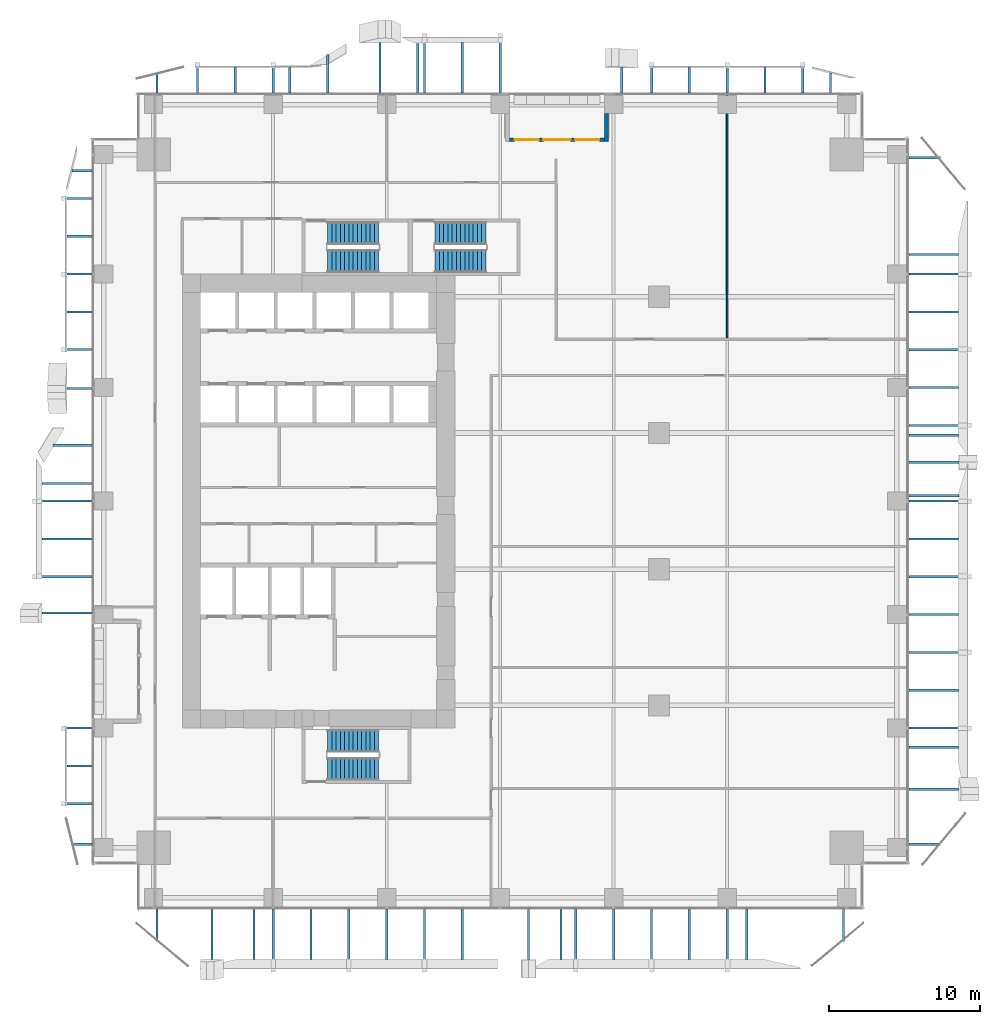
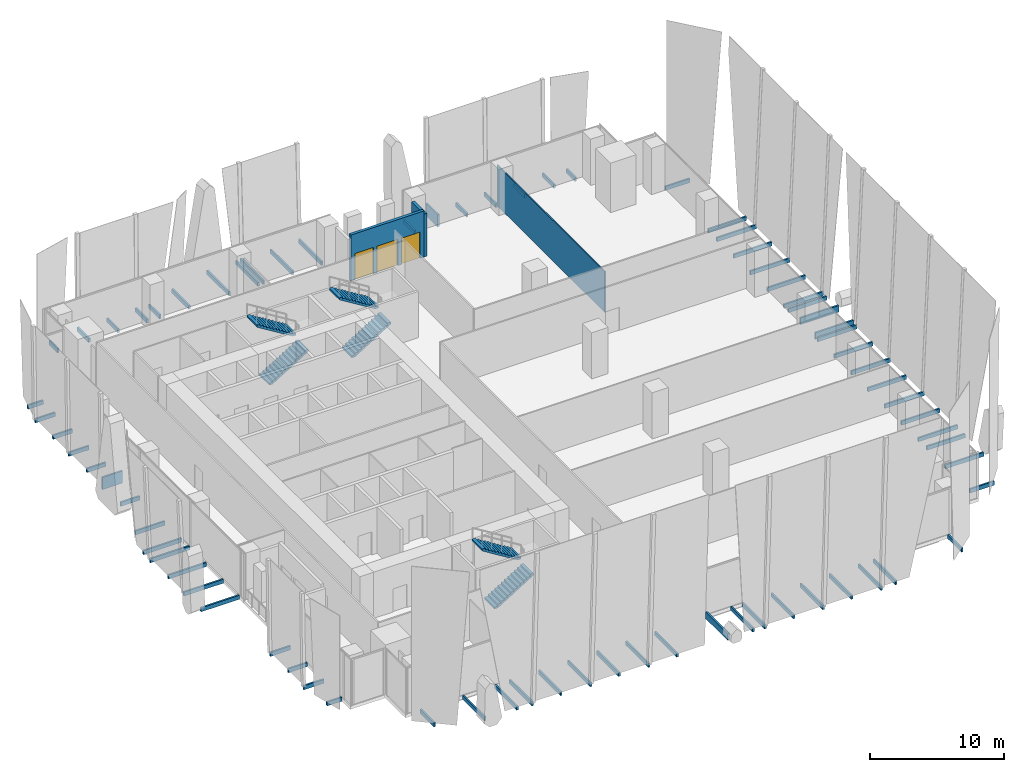
# One storey, part 30 of 35: 73 discrete accessories, 6 stair flights, 3 walls, 2 windows, 1 door, 3 openings, 3 elements without a shape of their own.
"""IFC4 building model written with IfcOpenShell, lengths in metres."""

from ifc_helpers import new_model, si_unit, direction, frame, frame_2d, origin, origin_2d, place, context, subcontext, project, spatial, polyline, rectangle, outline, extrude, source, transform, mapped, material, layer, layer_set, type_object, element, fill, aggregate, save


model = new_model("IFC4")

# Units and contexts
model_context = context("Model", 3, precision=1e-05, world=origin(), true_north=direction((0.0, 1.0)))
body_context = subcontext(model_context, "Body", "Model", "MODEL_VIEW")
ifc_project = project(units=[si_unit("LENGTHUNIT", "METRE"), si_unit("AREAUNIT", "SQUARE_METRE"), si_unit("VOLUMEUNIT", "CUBIC_METRE"), si_unit("PLANEANGLEUNIT", "RADIAN"), si_unit("MASSUNIT", "GRAM", prefix="KILO")], contexts=[model_context])

# Site, building, storey
site_placement = place(None, origin())
site = spatial("IfcSite", under=ifc_project, at=site_placement, CompositionType="ELEMENT")
building_placement = place(site_placement, origin())
building = spatial("IfcBuilding", under=site, at=building_placement, Name="Khomas Fold Tower", CompositionType="ELEMENT")
storey_placement = place(building_placement, frame((0.0, 0.0, 87.0)))
storey = spatial("IfcBuildingStorey", under=building, at=storey_placement, Name="L18", CompositionType="ELEMENT", Elevation=87.0)

# Wall
ifc_material_1 = material(Name="Natural stone", Category="masonry")
ifc_layer_1 = layer(ifc_material_1, 0.0400390625)
ifc_material_2 = material(Name="Mineral wool insulation", Category="insulation")
ifc_layer_2 = layer(ifc_material_2, 0.10009765625)
ifc_material_3 = material(Name="Masonry", Category="masonry")
ifc_layer_3 = layer(ifc_material_3, 0.110107421875)
ifc_layer_set_1 = layer_set([ifc_layer_1, ifc_layer_2, ifc_layer_3], Name="Stone-faced insulated masonry")
wall_type_1 = type_object("IfcWallType", Name="BL-Balcony wall", PredefinedType="SOLIDWALL", material=ifc_layer_set_1)
shared_shape_1 = source(origin(), body_context, "Body", "SweptSolid", [
    extrude(rectangle(XDim=1.85009765625, YDim=0.25, at=frame_2d((0.925048828125, 0.0))), origin(), (0.0, 0.0, 1.0), 3.89990234375),
])
wall_1_placement = place(storey_placement, frame((34.02490234375, 52.60009765625, 0.0), z_axis=(0.0, 0.0, 1.0), x_axis=(0.0, -1.0, 0.0)))
element("IfcWall", 1, at=wall_1_placement, inside=storey, type_object=wall_type_1, Name="Balcony return wall BAL-L18-N3-hi", PredefinedType="SOLIDWALL", context=body_context, shape_type="MappedRepresentation", body=[
    mapped(shared_shape_1, transform((0.0, 0.0, 0.0))),
])

# Wall, openings, windows, door
shared_shape_2 = source(origin(), body_context, "Body", "SweptSolid", [
    extrude(rectangle(XDim=6.2998046875, YDim=0.25, at=frame_2d((3.14990234375, 0.0))), origin(), (0.0, 0.0, 1.0), 4.199951171875),
])
wall_2_placement = place(storey_placement, frame((27.60009765625, 50.875, 0.0), z_axis=(0.0, 0.0, 1.0), x_axis=(1.0, 0.0, 0.0)))
wall_2 = element("IfcWall", 2, at=wall_2_placement, inside=storey, type_object=wall_type_1, Name="Balcony wall BAL-L18-N3", PredefinedType="SOLIDWALL", context=body_context, shape_type="MappedRepresentation", body=[
    mapped(shared_shape_2, transform((0.0, 0.0, 0.0))),
])
shared_shape_3 = source(origin(), body_context, "Body", "SweptSolid", [
    extrude(rectangle(XDim=1.60009765625, YDim=2.39990234375, at=frame_2d((0.800048828125, 1.199951171875))), frame((0.0, 0.135009765625, 0.0), z_axis=(0.0, -1.0, 0.0), x_axis=(1.0, 0.0, 0.0)), (0.0, 0.0, 1.0), 0.27001953125),
])
opening_1_placement = place(wall_2_placement, frame((0.35009765625, 0.0, 0.0)))
opening_1 = element("IfcOpeningElement", 3, at=opening_1_placement, cuts=wall_2, Name="Opening BL-W1", PredefinedType="OPENING", context=body_context, shape_type="MappedRepresentation", body=[
    mapped(shared_shape_3, transform((0.0, 0.0, 0.0))),
])
opening_2_placement = place(wall_2_placement, frame((4.35009765625, 0.0, 0.0)))
opening_2 = element("IfcOpeningElement", 4, at=opening_2_placement, cuts=wall_2, Name="Opening BL-W1", PredefinedType="OPENING", context=body_context, shape_type="MappedRepresentation", body=[
    mapped(shared_shape_3, transform((0.0, 0.0, 0.0))),
])
shared_shape_4 = source(origin(), body_context, "Body", "SweptSolid", [
    extrude(rectangle(XDim=1.800048828125, YDim=2.39990234375, at=frame_2d((0.89990234375, 1.199951171875))), frame((0.0, 0.135009765625, 0.0), z_axis=(0.0, -1.0, 0.0), x_axis=(1.0, 0.0, 0.0)), (0.0, 0.0, 1.0), 0.27001953125),
])
opening_3_placement = place(wall_2_placement, frame((2.25, 0.0, 0.0)))
opening_3 = element("IfcOpeningElement", 5, at=opening_3_placement, cuts=wall_2, Name="Opening BD182", PredefinedType="OPENING", context=body_context, shape_type="MappedRepresentation", body=[
    mapped(shared_shape_4, transform((0.0, 0.0, 0.0))),
])
ifc_material_4 = material(Name="Aluminium framed double glazing", Category="aluminium")
window_type = type_object("IfcWindowType", Name="BL-Fixed glazing 1600 x 2400", PartitioningType="SINGLE_PANEL", PredefinedType="WINDOW", material=ifc_material_4)
shared_shape_5 = source(origin(), body_context, "Body", "SweptSolid", [
    extrude(rectangle(XDim=1.60009765625, YDim=2.39990234375, at=frame_2d((0.800048828125, 1.199951171875))), frame((0.0, 0.030029296875, 0.0), z_axis=(0.0, -1.0, 0.0), x_axis=(1.0, 0.0, 0.0)), (0.0, 0.0, 1.0), 0.06005859375),
])
window_1_placement = place(opening_1_placement, origin())
window_1 = element("IfcWindow", 6, at=window_1_placement, inside=storey, type_object=window_type, Name="Balcony glazing BAL-L18-N3-1", OverallHeight=2.39990234375, OverallWidth=1.60009765625, PartitioningType="SINGLE_PANEL", PredefinedType="WINDOW", context=body_context, shape_type="MappedRepresentation", body=[
    mapped(shared_shape_5, transform((0.0, 0.0, 0.0))),
])
fill(opening_1, window_1)
window_2_placement = place(opening_2_placement, origin())
window_2 = element("IfcWindow", 7, at=window_2_placement, inside=storey, type_object=window_type, Name="Balcony glazing BAL-L18-N3-2", OverallHeight=2.39990234375, OverallWidth=1.60009765625, PartitioningType="SINGLE_PANEL", PredefinedType="WINDOW", context=body_context, shape_type="MappedRepresentation", body=[
    mapped(shared_shape_5, transform((0.0, 0.0, 0.0))),
])
fill(opening_2, window_2)
ifc_material_5 = material(Name="Aluminium framed double glazing", Category="aluminium")
door_type = type_object("IfcDoorType", Name="BL-Glazed balcony door 1800 x 2400", OperationType="DOUBLE_DOOR_DOUBLE_SWING", PredefinedType="DOOR", material=ifc_material_5)
shared_shape_6 = source(origin(), body_context, "Body", "SweptSolid", [
    extrude(rectangle(XDim=1.800048828125, YDim=2.39990234375, at=frame_2d((0.89990234375, 1.199951171875))), frame((0.0, 0.02490234375, 0.0), z_axis=(0.0, -1.0, 0.0), x_axis=(1.0, 0.0, 0.0)), (0.0, 0.0, 1.0), 0.050048828125),
])
door_placement = place(opening_3_placement, origin())
door = element("IfcDoor", 8, at=door_placement, inside=storey, type_object=door_type, Name="Balcony door BD182", OperationType="DOUBLE_DOOR_DOUBLE_SWING", OverallHeight=2.39990234375, OverallWidth=1.800048828125, PredefinedType="DOOR", context=body_context, shape_type="MappedRepresentation", body=[
    mapped(shared_shape_6, transform((0.0, 0.0, 0.0))),
])
fill(opening_3, door)

# Wall
ifc_material_6 = material(Name="Plasterboard partition")
ifc_layer_4 = layer(ifc_material_6, 0.10009765625)
ifc_layer_set_2 = layer_set([ifc_layer_4], Name="Plasterboard partition")
wall_type_2 = type_object("IfcWallType", Name="Partition PW1 100", PredefinedType="PARTITIONING", material=ifc_layer_set_2)
shared_shape_7 = source(origin(), body_context, "Body", "SweptSolid", [
    extrude(rectangle(XDim=16.050048828125, YDim=0.10009765625, at=frame_2d((8.02490234375, 0.0))), origin(), (0.0, 0.0, 1.0), 3.699951171875),
])
wall_3_placement = place(storey_placement, frame((42.0, 37.800048828125, 0.0), z_axis=(0.0, 0.0, 1.0), x_axis=(0.0, 1.0, 0.0)))
element("IfcWall", 9, at=wall_3_placement, inside=storey, type_object=wall_type_2, Name="Partition", PredefinedType="PARTITIONING", context=body_context, shape_type="MappedRepresentation", body=[
    mapped(shared_shape_7, transform((0.0, 0.0, 0.0))),
])

# Stair, stair flights
ifc_material_7 = material(Name="Concrete C40/50", Category="concrete")
stair_type_1 = type_object("IfcStairType", Name="Stair ST1", PredefinedType="HALF_TURN_STAIR", material=ifc_material_7)
stair_1_placement = place(storey_placement, origin())
stair_1 = element("IfcStair", 10, at=stair_1_placement, inside=storey, type_object=stair_type_1, Name="L18 ST1", PredefinedType="HALF_TURN_STAIR")
ifc_material_8 = material(Name="Concrete C40/50", Category="concrete")
stair_flight_type_1 = type_object("IfcStairFlightType", Name="Stair flight 1500 ST1", PredefinedType="STRAIGHT", material=ifc_material_8)
shared_shape_8 = source(origin(), body_context, "Body", "SweptSolid", [
    extrude(outline(polyline([(0.0, 0.0), (0.0, 0.013427734375), (0.0, 0.026611328125), (0.0, 0.0400390625), (0.0, 0.05322265625), (0.0, 0.066650390625), (0.0, 0.079833984375), (0.0, 0.09326171875), (0.0, 0.1064453125), (0.0, 0.119873046875), (0.0, 0.133056640625), (0.0, 0.146484375), (0.0, 0.15966796875), (0.0, 0.173095703125), (0.280029296875, 0.173095703125), (0.280029296875, 0.34619140625), (0.56005859375, 0.34619140625), (0.56005859375, 0.519287109375), (0.840087890625, 0.519287109375), (0.840087890625, 0.6923828125), (1.1201171875, 0.6923828125), (1.1201171875, 0.865478515625), (1.39990234375, 0.865478515625), (1.39990234375, 1.03857421875), (1.679931640625, 1.03857421875), (1.679931640625, 1.21142578125), (1.9599609375, 1.21142578125), (1.9599609375, 1.384521484375), (2.239990234375, 1.384521484375), (2.239990234375, 1.5576171875), (2.52001953125, 1.5576171875), (2.52001953125, 1.730712890625), (2.800048828125, 1.730712890625), (2.800048828125, 1.90380859375), (3.080078125, 1.90380859375), (3.080078125, 2.076904296875), (3.360107421875, 2.076904296875), (3.360107421875, 2.25), (3.360107421875, 2.22314453125), (3.360107421875, 2.1962890625), (3.360107421875, 2.16943359375), (3.360107421875, 2.142578125), (3.360107421875, 2.11572265625), (3.360107421875, 2.0888671875), (3.360107421875, 2.06201171875), (3.360107421875, 2.03515625), (3.360107421875, 2.008056640625), (3.360107421875, 1.981201171875), (3.360107421875, 1.954345703125), (3.360107421875, 1.927490234375), (3.360107421875, 1.900634765625), (0.28515625, 0.0), (0.0, 0.0)])), frame((0.0, 0.75, 0.0), z_axis=(0.0, -1.0, 0.0), x_axis=(1.0, 0.0, 0.0)), (0.0, 0.0, 1.0), 1.5),
])
stair_flight_1_placement = place(storey_placement, frame((15.60009765625, 42.85009765625, 0.0), z_axis=(0.0, 0.0, 1.0), x_axis=(1.0, 0.0, 0.0)))
stair_flight_1 = element("IfcStairFlight", 11, at=stair_flight_1_placement, type_object=stair_flight_type_1, Name="ST1 flight 1", NumberOfRisers=13, NumberOfTreads=12, PredefinedType="STRAIGHT", RiserHeight=0.173076923, TreadLength=0.28, context=body_context, shape_type="MappedRepresentation", body=[
    mapped(shared_shape_8, transform((0.0, 0.0, 0.0))),
])
stair_flight_2_placement = place(storey_placement, frame((18.9599609375, 44.699951171875, 2.25), z_axis=(0.0, 0.0, 1.0), x_axis=(-1.0, 0.0, 0.0)))
stair_flight_2 = element("IfcStairFlight", 12, at=stair_flight_2_placement, type_object=stair_flight_type_1, Name="ST1 flight 2", NumberOfRisers=13, NumberOfTreads=12, PredefinedType="STRAIGHT", RiserHeight=0.173076923, TreadLength=0.28, context=body_context, shape_type="MappedRepresentation", body=[
    mapped(shared_shape_8, transform((0.0, 0.0, 0.0))),
])
aggregate(stair_1, [stair_flight_1, stair_flight_2])

ifc_material_9 = material(Name="Concrete C40/50", Category="concrete")
stair_type_2 = type_object("IfcStairType", Name="Stair ST2", PredefinedType="HALF_TURN_STAIR", material=ifc_material_9)
stair_2_placement = place(storey_placement, origin())
stair_2 = element("IfcStair", 13, at=stair_2_placement, inside=storey, type_object=stair_type_2, Name="L18 ST2", PredefinedType="HALF_TURN_STAIR")
ifc_material_10 = material(Name="Concrete C40/50", Category="concrete")
stair_flight_type_2 = type_object("IfcStairFlightType", Name="Stair flight 1500 ST2", PredefinedType="STRAIGHT", material=ifc_material_10)
stair_flight_3_placement = place(storey_placement, frame((15.60009765625, 9.300048828125, 0.0), z_axis=(0.0, 0.0, 1.0), x_axis=(1.0, 0.0, 0.0)))
stair_flight_3 = element("IfcStairFlight", 14, at=stair_flight_3_placement, type_object=stair_flight_type_2, Name="ST2 flight 1", NumberOfRisers=13, NumberOfTreads=12, PredefinedType="STRAIGHT", RiserHeight=0.173076923, TreadLength=0.28, context=body_context, shape_type="MappedRepresentation", body=[
    mapped(shared_shape_8, transform((0.0, 0.0, 0.0))),
])
stair_flight_4_placement = place(storey_placement, frame((18.9599609375, 11.14990234375, 2.25), z_axis=(0.0, 0.0, 1.0), x_axis=(-1.0, 0.0, 0.0)))
stair_flight_4 = element("IfcStairFlight", 15, at=stair_flight_4_placement, type_object=stair_flight_type_2, Name="ST2 flight 2", NumberOfRisers=13, NumberOfTreads=12, PredefinedType="STRAIGHT", RiserHeight=0.173076923, TreadLength=0.28, context=body_context, shape_type="MappedRepresentation", body=[
    mapped(shared_shape_8, transform((0.0, 0.0, 0.0))),
])
aggregate(stair_2, [stair_flight_3, stair_flight_4])

ifc_material_11 = material(Name="Concrete C40/50", Category="concrete")
stair_type_3 = type_object("IfcStairType", Name="Stair ST3", PredefinedType="HALF_TURN_STAIR", material=ifc_material_11)
stair_3_placement = place(storey_placement, origin())
stair_3 = element("IfcStair", 16, at=stair_3_placement, inside=storey, type_object=stair_type_3, Name="L18 ST3", PredefinedType="HALF_TURN_STAIR")
ifc_material_12 = material(Name="Concrete C40/50", Category="concrete")
stair_flight_type_3 = type_object("IfcStairFlightType", Name="Stair flight 1500 ST3", PredefinedType="STRAIGHT", material=ifc_material_12)
stair_flight_5_placement = place(storey_placement, frame((22.699951171875, 42.85009765625, 0.0), z_axis=(0.0, 0.0, 1.0), x_axis=(1.0, 0.0, 0.0)))
stair_flight_5 = element("IfcStairFlight", 17, at=stair_flight_5_placement, type_object=stair_flight_type_3, Name="ST3 flight 1", NumberOfRisers=13, NumberOfTreads=12, PredefinedType="STRAIGHT", RiserHeight=0.173076923, TreadLength=0.28, context=body_context, shape_type="MappedRepresentation", body=[
    mapped(shared_shape_8, transform((0.0, 0.0, 0.0))),
])
stair_flight_6_placement = place(storey_placement, frame((26.06005859375, 44.699951171875, 2.25), z_axis=(0.0, 0.0, 1.0), x_axis=(-1.0, 0.0, 0.0)))
stair_flight_6 = element("IfcStairFlight", 18, at=stair_flight_6_placement, type_object=stair_flight_type_3, Name="ST3 flight 2", NumberOfRisers=13, NumberOfTreads=12, PredefinedType="STRAIGHT", RiserHeight=0.173076923, TreadLength=0.28, context=body_context, shape_type="MappedRepresentation", body=[
    mapped(shared_shape_8, transform((0.0, 0.0, 0.0))),
])
aggregate(stair_3, [stair_flight_5, stair_flight_6])

# Discrete accessories
ifc_material_13 = material(Name="Stainless steel", Category="steel")
discrete_accessory_type = type_object("IfcDiscreteAccessoryType", Name="SK-Stainless steel stone bracket", PredefinedType="BRACKET", material=ifc_material_13)
shared_shape_9 = source(origin(), body_context, "Body", "SweptSolid", [
    extrude(rectangle(XDim=3.291259765625, YDim=0.14990234375, at=origin_2d()), origin(), (0.0, 0.0, 1.0), 0.360107421875),
])
for number, where, z_axis, x_axis, name in (
    (19, (7.95947265625, -1.645751953125, -0.30029296875), (0.0, 0.0, 1.0), (0.0, -1.0, 0.0), "Stone bracket L18 SS03-1-1"),
    (20, (55.645751953125, 7.95947265625, -0.30029296875), (0.0, 0.0, 1.0), (1.0, 0.0, 0.0), "Stone bracket L18 ES03-1-1"),
    (21, (19.056640625, 55.645751953125, -0.30029296875), (0.0, 0.0, 1.0), (0.0, 1.0, 0.0), "Stone bracket L18 NS05-1-1"),
    (22, (-1.645751953125, 19.599609375, -0.30029296875), (0.0, 0.0, 1.0), (-1.0, 0.0, 0.0), "Stone bracket L18 WS05-1-1"),
    (23, (10.729736328125, -1.645751953125, -0.30029296875), (0.0, 0.0, 1.0), (0.0, -1.0, 0.0), "Stone bracket L18 SG099-2-1"),
    (24, (14.5, -1.645751953125, -0.30029296875), (0.0, 0.0, 1.0), (0.0, -1.0, 0.0), "Stone bracket L18 SG100-4-1"),
    (25, (19.5, -1.645751953125, -0.30029296875), (0.0, 0.0, 1.0), (0.0, -1.0, 0.0), "Stone bracket L18 SG101-6-1"),
    (26, (24.4892578125, -1.645751953125, -0.30029296875), (0.0, 0.0, 1.0), (0.0, -1.0, 0.0), "Stone bracket L18 SG102-8-1"),
    (27, (31.019287109375, -1.645751953125, -0.30029296875), (0.0, 0.0, 1.0), (0.0, -1.0, 0.0), "Stone bracket L18 SG103-9-1"),
    (28, (34.5, -1.645751953125, -0.30029296875), (0.0, 0.0, 1.0), (0.0, -1.0, 0.0), "Stone bracket L18 SG104-11-1"),
    (29, (39.5, -1.645751953125, -0.30029296875), (0.0, 0.0, 1.0), (0.0, -1.0, 0.0), "Stone bracket L18 SG105-13-1"),
    (30, (43.29736328125, -1.645751953125, -0.30029296875), (0.0, 0.0, 1.0), (0.0, -1.0, 0.0), "Stone bracket L18 SG106-15-1"),
    (31, (55.645751953125, 10.729736328125, -0.30029296875), (0.0, 0.0, 1.0), (1.0, 0.0, 0.0), "Stone bracket L18 EG099-2-1"),
    (32, (55.645751953125, 14.5, -0.30029296875), (0.0, 0.0, 1.0), (1.0, 0.0, 0.0), "Stone bracket L18 EG100-4-1"),
    (33, (55.645751953125, 19.5, -0.30029296875), (0.0, 0.0, 1.0), (1.0, 0.0, 0.0), "Stone bracket L18 EG101-6-1"),
    (34, (55.645751953125, 24.5, -0.30029296875), (0.0, 0.0, 1.0), (1.0, 0.0, 0.0), "Stone bracket L18 EG102-8-1"),
    (35, (55.645751953125, 31.35791015625, -0.30029296875), (0.0, 0.0, 1.0), (1.0, 0.0, 0.0), "Stone bracket L18 EG103-11-1"),
    (36, (55.645751953125, 34.5, -0.30029296875), (0.0, 0.0, 1.0), (1.0, 0.0, 0.0), "Stone bracket L18 EG104-13-1"),
    (37, (55.645751953125, 39.5, -0.30029296875), (0.0, 0.0, 1.0), (1.0, 0.0, 0.0), "Stone bracket L18 EG105-15-1"),
    (38, (55.645751953125, 43.29736328125, -0.30029296875), (0.0, 0.0, 1.0), (1.0, 0.0, 0.0), "Stone bracket L18 EG106-17-1"),
    (39, (21.549560546875, 55.645751953125, -0.30029296875), (0.0, 0.0, 1.0), (0.0, 1.0, 0.0), "Stone bracket L18 NG101-7-1"),
    (40, (24.5, 55.645751953125, -0.30029296875), (0.0, 0.0, 1.0), (0.0, 1.0, 0.0), "Stone bracket L18 NG102-9-1"),
    (41, (-1.645751953125, 24.5, -0.30029296875), (0.0, 0.0, 1.0), (-1.0, 0.0, 0.0), "Stone bracket L18 WG102-6-1"),
    (42, (-1.645751953125, 28.163330078125, -0.30029296875), (0.0, 0.0, 1.0), (-1.0, 0.0, 0.0), "Stone bracket L18 WG103-8-1"),
):
    element("IfcDiscreteAccessory", number, at=place(storey_placement, frame(where, z_axis=z_axis, x_axis=x_axis)), inside=storey, type_object=discrete_accessory_type, Name=name, PredefinedType="BRACKET", context=body_context, shape_type="MappedRepresentation", body=[
        mapped(shared_shape_9, transform((0.0, 0.0, 0.0))),
    ])
shared_shape_10 = source(origin(), body_context, "Body", "SweptSolid", [
    extrude(rectangle(XDim=3.30224609375, YDim=0.14990234375, at=origin_2d()), origin(), (0.0, 0.0, 1.0), 0.610107421875),
])
for number, where, z_axis, x_axis, name in (
    (43, (28.877685546875, -1.651123046875, -0.30029296875), (0.0, 0.0, 1.0), (0.0, -1.0, 0.0), "Stone bracket L18 SS06-2-1"),
    (44, (55.651123046875, 29.56494140625, -0.30029296875), (0.0, 0.0, 1.0), (1.0, 0.0, 0.0), "Stone bracket L18 ES06-2-1"),
    (45, (55.651123046875, 27.345703125, -0.30029296875), (0.0, 0.0, 1.0), (1.0, 0.0, 0.0), "Stone bracket L18 EG103-10-1"),
):
    element("IfcDiscreteAccessory", number, at=place(storey_placement, frame(where, z_axis=z_axis, x_axis=x_axis)), inside=storey, type_object=discrete_accessory_type, Name=name, PredefinedType="BRACKET", context=body_context, shape_type="MappedRepresentation", body=[
        mapped(shared_shape_10, transform((0.0, 0.0, 0.0))),
    ])
shared_shape_11 = source(origin(), body_context, "Body", "SweptSolid", [
    extrude(rectangle(XDim=1.634765625, YDim=0.14990234375, at=origin_2d()), origin(), (0.0, 0.0, 1.0), 0.360107421875),
])
for number, where, z_axis, x_axis, name in (
    (46, (35.028076171875, 54.8173828125, -0.30029296875), (0.0, 0.0, 1.0), (0.0, 1.0, 0.0), "Stone bracket L18 NS08-2-1"),
    (47, (-0.8173828125, 34.446044921875, -0.30029296875), (0.0, 0.0, 1.0), (-1.0, 0.0, 0.0), "Stone bracket L18 WS08-2-1"),
    (48, (9.5, 54.8173828125, -0.30029296875), (0.0, 0.0, 1.0), (0.0, 1.0, 0.0), "Stone bracket L18 NG099-3-1"),
    (49, (13.095458984375, 54.8173828125, -0.30029296875), (0.0, 0.0, 1.0), (0.0, 1.0, 0.0), "Stone bracket L18 NG100-5-1"),
    (50, (39.5, 54.8173828125, -0.30029296875), (0.0, 0.0, 1.0), (0.0, 1.0, 0.0), "Stone bracket L18 NG105-12-1"),
    (51, (44.5, 54.8173828125, -0.30029296875), (0.0, 0.0, 1.0), (0.0, 1.0, 0.0), "Stone bracket L18 NG106-14-1"),
    (52, (-0.8173828125, 9.5, -0.30029296875), (0.0, 0.0, 1.0), (-1.0, 0.0, 0.0), "Stone bracket L18 WG099-3-1"),
    (53, (-0.8173828125, 39.5, -0.30029296875), (0.0, 0.0, 1.0), (-1.0, 0.0, 0.0), "Stone bracket L18 WG105-11-1"),
    (54, (-0.8173828125, 44.5, -0.30029296875), (0.0, 0.0, 1.0), (-1.0, 0.0, 0.0), "Stone bracket L18 WG106-13-1"),
):
    element("IfcDiscreteAccessory", number, at=place(storey_placement, frame(where, z_axis=z_axis, x_axis=x_axis)), inside=storey, type_object=discrete_accessory_type, Name=name, PredefinedType="BRACKET", context=body_context, shape_type="MappedRepresentation", body=[
        mapped(shared_shape_11, transform((0.0, 0.0, 0.0))),
    ])
shared_shape_12 = source(origin(), body_context, "Body", "SweptSolid", [
    extrude(rectangle(XDim=2.088134765625, YDim=0.14990234375, at=origin_2d()), origin(), (0.0, 0.0, 1.0), 0.360107421875),
])
for number, where, z_axis, x_axis, name in (
    (55, (4.32080078125, -1.0439453125, -0.30029296875), (0.0, 0.0, 1.0), (0.0, -1.0, 0.0), "Stone bracket L18 SG098-1-1"),
    (56, (49.67919921875, -1.0439453125, -0.30029296875), (0.0, 0.0, 1.0), (0.0, -1.0, 0.0), "Stone bracket L18 SG107-16-1"),
    (57, (55.0439453125, 4.32080078125, -0.30029296875), (0.0, 0.0, 1.0), (1.0, 0.0, 0.0), "Stone bracket L18 EG098-1-1"),
    (58, (55.0439453125, 49.67919921875, -0.30029296875), (0.0, 0.0, 1.0), (1.0, 0.0, 0.0), "Stone bracket L18 EG107-18-1"),
):
    element("IfcDiscreteAccessory", number, at=place(storey_placement, frame(where, z_axis=z_axis, x_axis=x_axis)), inside=storey, type_object=discrete_accessory_type, Name=name, PredefinedType="BRACKET", context=body_context, shape_type="MappedRepresentation", body=[
        mapped(shared_shape_12, transform((0.0, 0.0, 0.0))),
    ])
shared_shape_13 = source(origin(), body_context, "Body", "SweptSolid", [
    extrude(rectangle(XDim=3.38623046875, YDim=0.14990234375, at=origin_2d()), origin(), (0.0, 0.0, 1.0), 0.360107421875),
])
for number, where, z_axis, x_axis, name in (
    (59, (12.0, -1.693115234375, -0.30029296875), (0.0, 0.0, 1.0), (0.0, -1.0, 0.0), "Stone bracket L18 SM100-3-1"),
    (60, (17.0, -1.693115234375, -0.30029296875), (0.0, 0.0, 1.0), (0.0, -1.0, 0.0), "Stone bracket L18 SM101-5-1"),
    (61, (22.0, -1.693115234375, -0.30029296875), (0.0, 0.0, 1.0), (0.0, -1.0, 0.0), "Stone bracket L18 SM102-7-1"),
    (62, (32.0, -1.693115234375, -0.30029296875), (0.0, 0.0, 1.0), (0.0, -1.0, 0.0), "Stone bracket L18 SM104-10-1"),
    (63, (37.0, -1.693115234375, -0.30029296875), (0.0, 0.0, 1.0), (0.0, -1.0, 0.0), "Stone bracket L18 SM105-12-1"),
    (64, (42.0, -1.693115234375, -0.30029296875), (0.0, 0.0, 1.0), (0.0, -1.0, 0.0), "Stone bracket L18 SM106-14-1"),
    (65, (55.693115234375, 12.0, -0.30029296875), (0.0, 0.0, 1.0), (1.0, 0.0, 0.0), "Stone bracket L18 EM100-3-1"),
    (66, (55.693115234375, 17.0, -0.30029296875), (0.0, 0.0, 1.0), (1.0, 0.0, 0.0), "Stone bracket L18 EM101-5-1"),
    (67, (55.693115234375, 22.0, -0.30029296875), (0.0, 0.0, 1.0), (1.0, 0.0, 0.0), "Stone bracket L18 EM102-7-1"),
    (68, (55.693115234375, 27.0, -0.30029296875), (0.0, 0.0, 1.0), (1.0, 0.0, 0.0), "Stone bracket L18 EM103-9-1"),
    (69, (55.693115234375, 32.0, -0.30029296875), (0.0, 0.0, 1.0), (1.0, 0.0, 0.0), "Stone bracket L18 EM104-12-1"),
    (70, (55.693115234375, 37.0, -0.30029296875), (0.0, 0.0, 1.0), (1.0, 0.0, 0.0), "Stone bracket L18 EM105-14-1"),
    (71, (55.693115234375, 42.0, -0.30029296875), (0.0, 0.0, 1.0), (1.0, 0.0, 0.0), "Stone bracket L18 EM106-16-1"),
    (72, (22.0, 55.693115234375, -0.30029296875), (0.0, 0.0, 1.0), (0.0, 1.0, 0.0), "Stone bracket L18 NM102-8-1"),
    (73, (27.0, 55.693115234375, -0.30029296875), (0.0, 0.0, 1.0), (0.0, 1.0, 0.0), "Stone bracket L18 NM103-10-1"),
    (74, (-1.693115234375, 22.0, -0.30029296875), (0.0, 0.0, 1.0), (-1.0, 0.0, 0.0), "Stone bracket L18 WM102-5-1"),
    (75, (-1.693115234375, 27.0, -0.30029296875), (0.0, 0.0, 1.0), (-1.0, 0.0, 0.0), "Stone bracket L18 WM103-7-1"),
):
    element("IfcDiscreteAccessory", number, at=place(storey_placement, frame(where, z_axis=z_axis, x_axis=x_axis)), inside=storey, type_object=discrete_accessory_type, Name=name, PredefinedType="BRACKET", context=body_context, shape_type="MappedRepresentation", body=[
        mapped(shared_shape_13, transform((0.0, 0.0, 0.0))),
    ])
shared_shape_14 = source(origin(), body_context, "Body", "SweptSolid", [
    extrude(rectangle(XDim=1.27392578125, YDim=0.14990234375, at=origin_2d()), origin(), (0.0, 0.0, 1.0), 0.360107421875),
])
for number, where, z_axis, x_axis, name in (
    (76, (4.32080078125, 54.636962890625, -0.30029296875), (0.0, 0.0, 1.0), (0.0, 1.0, 0.0), "Stone bracket L18 NG098-1-1"),
    (77, (-0.636962890625, 4.32080078125, -0.30029296875), (0.0, 0.0, 1.0), (-1.0, 0.0, 0.0), "Stone bracket L18 WG098-1-1"),
):
    element("IfcDiscreteAccessory", number, at=place(storey_placement, frame(where, z_axis=z_axis, x_axis=x_axis)), inside=storey, type_object=discrete_accessory_type, Name=name, PredefinedType="BRACKET", context=body_context, shape_type="MappedRepresentation", body=[
        mapped(shared_shape_14, transform((0.0, 0.0, 0.0))),
    ])
shared_shape_15 = source(origin(), body_context, "Body", "SweptSolid", [
    extrude(rectangle(XDim=1.72998046875, YDim=0.14990234375, at=origin_2d()), origin(), (0.0, 0.0, 1.0), 0.360107421875),
])
for number, where, z_axis, x_axis, name in (
    (78, (7.0, 54.864990234375, -0.30029296875), (0.0, 0.0, 1.0), (0.0, 1.0, 0.0), "Stone bracket L18 NM099-2-1"),
    (79, (12.0, 54.864990234375, -0.30029296875), (0.0, 0.0, 1.0), (0.0, 1.0, 0.0), "Stone bracket L18 NM100-4-1"),
    (80, (42.0, 54.864990234375, -0.30029296875), (0.0, 0.0, 1.0), (0.0, 1.0, 0.0), "Stone bracket L18 NM106-13-1"),
    (81, (47.0, 54.864990234375, -0.30029296875), (0.0, 0.0, 1.0), (0.0, 1.0, 0.0), "Stone bracket L18 NM107-15-1"),
    (82, (-0.864990234375, 7.0, -0.30029296875), (0.0, 0.0, 1.0), (-1.0, 0.0, 0.0), "Stone bracket L18 WM099-2-1"),
    (83, (-0.864990234375, 12.0, -0.30029296875), (0.0, 0.0, 1.0), (-1.0, 0.0, 0.0), "Stone bracket L18 WM100-4-1"),
    (84, (-0.864990234375, 42.0, -0.30029296875), (0.0, 0.0, 1.0), (-1.0, 0.0, 0.0), "Stone bracket L18 WM106-12-1"),
    (85, (-0.864990234375, 47.0, -0.30029296875), (0.0, 0.0, 1.0), (-1.0, 0.0, 0.0), "Stone bracket L18 WM107-14-1"),
):
    element("IfcDiscreteAccessory", number, at=place(storey_placement, frame(where, z_axis=z_axis, x_axis=x_axis)), inside=storey, type_object=discrete_accessory_type, Name=name, PredefinedType="BRACKET", context=body_context, shape_type="MappedRepresentation", body=[
        mapped(shared_shape_15, transform((0.0, 0.0, 0.0))),
    ])
shared_shape_16 = source(origin(), body_context, "Body", "SweptSolid", [
    extrude(rectangle(XDim=2.508544921875, YDim=0.14990234375, at=origin_2d()), origin(), (0.0, 0.0, 1.0), 0.360107421875),
])
discrete_accessory_1_placement = place(storey_placement, frame((15.598388671875, 55.25439453125, -0.30029296875), z_axis=(0.0, 0.0, 1.0), x_axis=(0.0, 1.0, 0.0)))
element("IfcDiscreteAccessory", 86, at=discrete_accessory_1_placement, inside=storey, type_object=discrete_accessory_type, Name="Stone bracket L18 NG100-6-1", PredefinedType="BRACKET", context=body_context, shape_type="MappedRepresentation", body=[
    mapped(shared_shape_16, transform((0.0, 0.0, 0.0))),
])
shared_shape_17 = source(origin(), body_context, "Body", "SweptSolid", [
    extrude(rectangle(XDim=1.73974609375, YDim=0.14990234375, at=origin_2d()), origin(), (0.0, 0.0, 1.0), 1.110107421875),
])
for number, where, z_axis, x_axis, name in (
    (87, (37.009765625, 54.869873046875, -0.30029296875), (0.0, 0.0, 1.0), (0.0, 1.0, 0.0), "Stone bracket L18 NM105-11-1"),
    (88, (-0.869873046875, 37.009765625, -0.30029296875), (0.0, 0.0, 1.0), (-1.0, 0.0, 0.0), "Stone bracket L18 WM105-10-1"),
):
    element("IfcDiscreteAccessory", number, at=place(storey_placement, frame(where, z_axis=z_axis, x_axis=x_axis)), inside=storey, type_object=discrete_accessory_type, Name=name, PredefinedType="BRACKET", context=body_context, shape_type="MappedRepresentation", body=[
        mapped(shared_shape_17, transform((0.0, 0.0, 0.0))),
    ])
shared_shape_18 = source(origin(), body_context, "Body", "SweptSolid", [
    extrude(rectangle(XDim=1.298583984375, YDim=0.14990234375, at=origin_2d()), origin(), (0.0, 0.0, 1.0), 0.360107421875),
])
for number, where, z_axis, x_axis, name in (
    (89, (48.82080078125, 54.649169921875, -0.30029296875), (0.0, 0.0, 1.0), (0.0, 1.0, 0.0), "Stone bracket L18 NG107-16-1"),
    (90, (-0.649169921875, 48.82080078125, -0.30029296875), (0.0, 0.0, 1.0), (-1.0, 0.0, 0.0), "Stone bracket L18 WG107-15-1"),
):
    element("IfcDiscreteAccessory", number, at=place(storey_placement, frame(where, z_axis=z_axis, x_axis=x_axis)), inside=storey, type_object=discrete_accessory_type, Name=name, PredefinedType="BRACKET", context=body_context, shape_type="MappedRepresentation", body=[
        mapped(shared_shape_18, transform((0.0, 0.0, 0.0))),
    ])
shared_shape_19 = source(origin(), body_context, "Body", "SweptSolid", [
    extrude(rectangle(XDim=2.533935546875, YDim=0.14990234375, at=origin_2d()), origin(), (0.0, 0.0, 1.0), 0.360107421875),
])
discrete_accessory_2_placement = place(storey_placement, frame((-1.26708984375, 30.691162109375, -0.30029296875), z_axis=(0.0, 0.0, 1.0), x_axis=(-1.0, 0.0, 0.0)))
element("IfcDiscreteAccessory", 91, at=discrete_accessory_2_placement, inside=storey, type_object=discrete_accessory_type, Name="Stone bracket L18 WG103-9-1", PredefinedType="BRACKET", context=body_context, shape_type="MappedRepresentation", body=[
    mapped(shared_shape_19, transform((0.0, 0.0, 0.0))),
])

save(model, "model.ifc")
